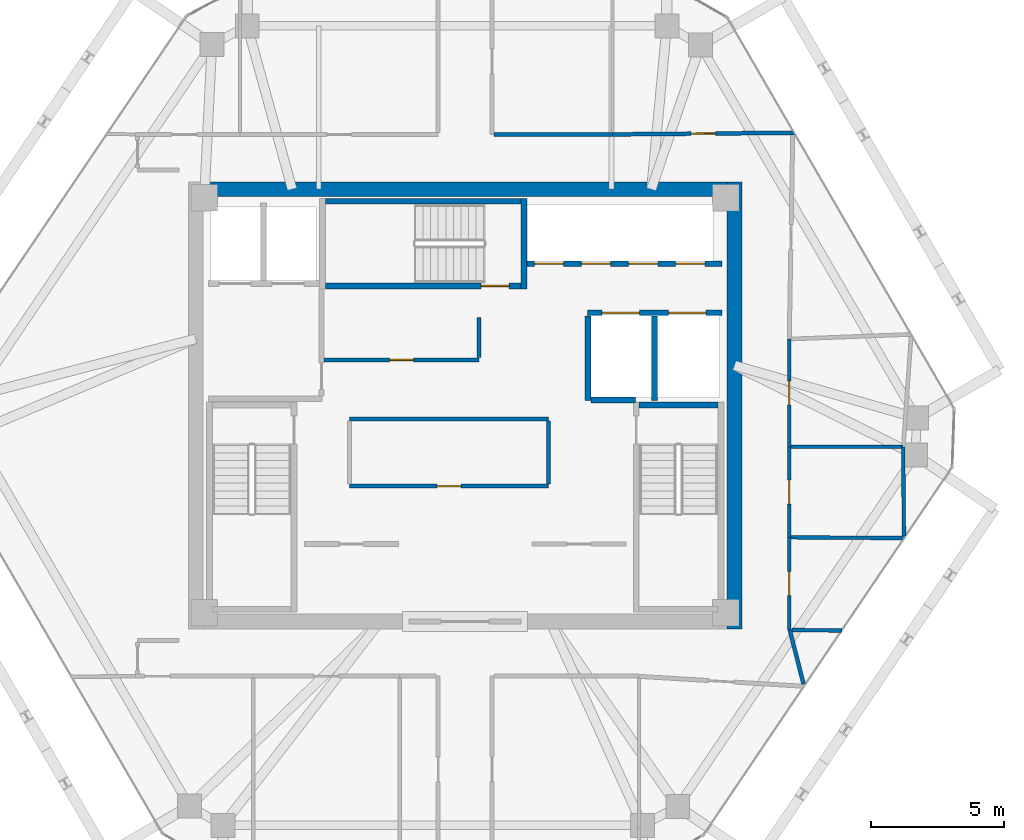
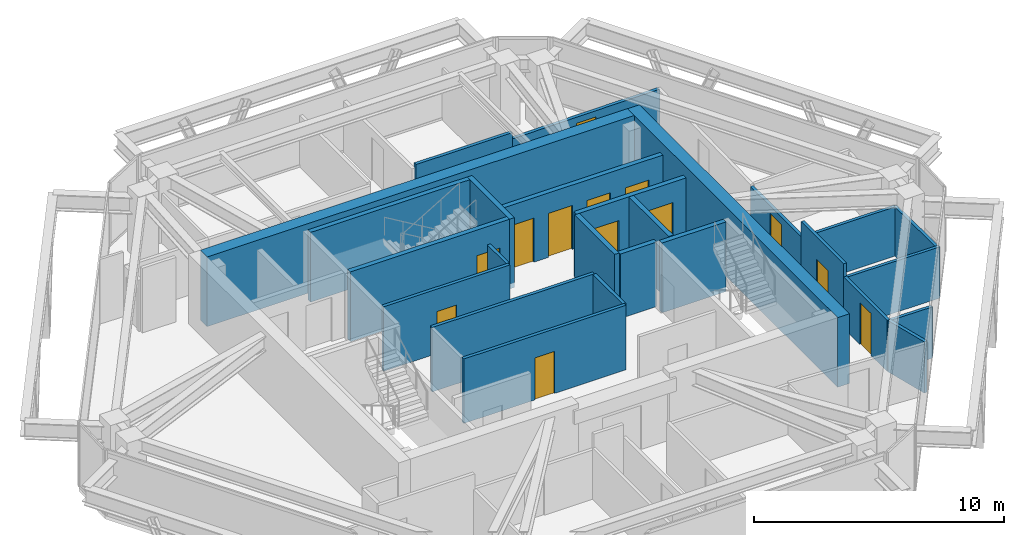
# One storey, part 9 of 11: 26 walls, 13 doors, 13 openings.
"""IFC4 building model written with IfcOpenShell, lengths in metres."""

from ifc_helpers import new_model, si_unit, direction, frame, frame_2d, origin, place, context, subcontext, project, spatial, rectangle, extrude, source, transform, mapped, material, layer, layer_set, type_object, type_shapes, element, fill, save


model = new_model("IFC4")

# Units and contexts
model_context = context("Model", 3, precision=1e-05, world=origin(), true_north=direction((0.0, 1.0)))
body_context = subcontext(model_context, "Body", "Model", "MODEL_VIEW")
ifc_project = project(units=[si_unit("LENGTHUNIT", "METRE"), si_unit("AREAUNIT", "SQUARE_METRE"), si_unit("VOLUMEUNIT", "CUBIC_METRE"), si_unit("PLANEANGLEUNIT", "RADIAN"), si_unit("MASSUNIT", "GRAM", prefix="KILO")], contexts=[model_context])

# Site, building, storey
site_placement = place(None, origin())
site = spatial("IfcSite", under=ifc_project, at=site_placement, CompositionType="ELEMENT")
building_placement = place(site_placement, origin())
building = spatial("IfcBuilding", under=site, at=building_placement, Name="Durnholm Broadcast Tower", CompositionType="ELEMENT")
storey_placement = place(building_placement, frame((0.0, 0.0, 251.300048828125)))
storey = spatial("IfcBuildingStorey", under=building, at=storey_placement, Name="L70", CompositionType="ELEMENT", Elevation=251.300048828125)

# Walls
ifc_material_1 = material(Name="Concrete C70/85", Category="concrete")
ifc_layer_1 = layer(ifc_material_1, 0.550048828125)
ifc_layer_set_1 = layer_set([ifc_layer_1], Name="Concrete C70/85")
wall_type_1 = type_object("IfcWallType", Name="WALL-CW-550", PredefinedType="SHEAR", material=ifc_layer_set_1)
wall_1_placement = place(storey_placement, frame((10.125, -8.39990234375, 0.0), z_axis=(0.0, 0.0, 1.0), x_axis=(0.0, 1.0, 0.0)))
element("IfcWall", 1, at=wall_1_placement, inside=storey, type_object=wall_type_1, Name="L70 central core shear wall CW-EAST", PredefinedType="SHEAR", context=body_context, shape_type="SweptSolid", body=[
    extrude(rectangle(XDim=16.7998046875, YDim=0.550048828125, at=frame_2d((8.39990234375, 0.0))), origin(), (0.0, 0.0, 1.0), 3.39990234375),
])
wall_2_placement = place(storey_placement, frame((-9.85009765625, 8.125, 0.0), z_axis=(0.0, 0.0, 1.0), x_axis=(1.0, 0.0, 0.0)))
element("IfcWall", 2, at=wall_2_placement, inside=storey, type_object=wall_type_1, Name="L70 central core shear wall CW-N", PredefinedType="SHEAR", context=body_context, shape_type="SweptSolid", body=[
    extrude(rectangle(XDim=19.7001953125, YDim=0.550048828125, at=frame_2d((9.85009765625, 0.0))), origin(), (0.0, 0.0, 1.0), 3.39990234375),
])

# Wall, opening, door
ifc_material_2 = material(Name="Acoustic Gypsum Stud Partition", Category="concrete")
ifc_layer_2 = layer(ifc_material_2, 0.14990234375)
ifc_layer_set_2 = layer_set([ifc_layer_2], Name="Acoustic Gypsum Stud Partition")
wall_type_2 = type_object("IfcWallType", Name="WALL-PART-150", PredefinedType="PARTITIONING", material=ifc_layer_set_2)
wall_3_placement = place(storey_placement, frame((3.139892578125, -3.0400390625, 0.0), z_axis=(0.0, 0.0, 1.0), x_axis=(-1.0, 0.0, 0.0)))
wall_3 = element("IfcWall", 3, at=wall_3_placement, inside=storey, type_object=wall_type_2, Name="L70 Broadcast Equipment Pantry corridor partition", PredefinedType="PARTITIONING", context=body_context, shape_type="SweptSolid", body=[
    extrude(rectangle(XDim=7.47998046875, YDim=0.14990234375, at=frame_2d((3.739990234375, 0.0))), origin(), (0.0, 0.0, 1.0), 3.14501953125),
])
opening_1_placement = place(wall_3_placement, frame((3.2900390625, 0.0, 0.0)))
opening_1 = element("IfcOpeningElement", 4, at=opening_1_placement, cuts=wall_3, Name="Opening DC-60R", PredefinedType="OPENING", context=body_context, shape_type="SweptSolid", body=[
    extrude(rectangle(XDim=0.89990234375, YDim=2.050048828125, at=frame_2d((0.449951171875, 1.02490234375))), frame((0.0, 0.0849609375, 0.0), z_axis=(0.0, -1.0, 0.0), x_axis=(1.0, 0.0, 0.0)), (0.0, 0.0, 1.0), 0.169921875),
])
ifc_material_3 = material(Name="Fire-Rated Core Service Door", Category="steel")
ifc_layer_3 = layer(ifc_material_3, 0.050048828125)
ifc_layer_set_3 = layer_set([ifc_layer_3], Name="Fire-Rated Core Service Door")
door_type_1 = type_object("IfcDoorType", Name="DOOR-CORE-FD60-R", OperationType="NOTDEFINED", PredefinedType="DOOR", material=ifc_layer_set_3)
shared_shape_1 = source(origin(), body_context, "Body", "SweptSolid", [
    extrude(rectangle(XDim=0.89990234375, YDim=2.050048828125, at=frame_2d((0.449951171875, 1.02490234375))), frame((0.0, 0.02490234375, 0.0), z_axis=(0.0, -1.0, 0.0), x_axis=(1.0, 0.0, 0.0)), (0.0, 0.0, 1.0), 0.050048828125),
])
type_shapes(door_type_1, [shared_shape_1])
door_1_placement = place(opening_1_placement, origin())
door_1 = element("IfcDoor", 5, at=door_1_placement, inside=storey, type_object=door_type_1, Name="L70 Broadcast Equipment Pantry entrance door", OperationType="SINGLE_SWING_RIGHT", OverallHeight=2.050048828125, OverallWidth=0.89990234375, PredefinedType="DOOR", context=body_context, shape_type="MappedRepresentation", body=[
    mapped(shared_shape_1, transform((0.0, 0.0, 0.0), x_axis=(1.0, 0.0, 0.0), y_axis=(0.0, 1.0, 0.0), z_axis=(0.0, 0.0, 1.0), scale=1.0)),
])
fill(opening_1, door_1)

# Walls
wall_4_placement = place(storey_placement, frame((-4.340087890625, -0.510009765625, 0.0), z_axis=(0.0, 0.0, 1.0), x_axis=(1.0, 0.0, 0.0)))
element("IfcWall", 6, at=wall_4_placement, inside=storey, type_object=wall_type_2, Name="L70 Broadcast Equipment Pantry corridor partition", PredefinedType="PARTITIONING", context=body_context, shape_type="SweptSolid", body=[
    extrude(rectangle(XDim=7.47998046875, YDim=0.14990234375, at=frame_2d((3.739990234375, 0.0))), origin(), (0.0, 0.0, 1.0), 3.14501953125),
])
wall_5_placement = place(storey_placement, frame((3.139892578125, -0.589111328125, 0.0), z_axis=(0.0, 0.0, 1.0), x_axis=(0.0, -1.0, 0.0)))
element("IfcWall", 7, at=wall_5_placement, inside=storey, type_object=wall_type_2, Name="L70 Broadcast Equipment Pantry corridor partition", PredefinedType="PARTITIONING", context=body_context, shape_type="SweptSolid", body=[
    extrude(rectangle(XDim=2.371826171875, YDim=0.14990234375, at=frame_2d((1.18603515625, 0.0))), origin(), (0.0, 0.0, 1.0), 3.14501953125),
])

# Wall, opening, door
wall_6_placement = place(storey_placement, frame((0.52001953125, 1.7099609375, 0.0), z_axis=(0.0, 0.0, 1.0), x_axis=(-1.0, 0.0, 0.0)))
wall_6 = element("IfcWall", 8, at=wall_6_placement, inside=storey, type_object=wall_type_2, Name="L70 Core Housekeeping Room corridor partition", PredefinedType="PARTITIONING", context=body_context, shape_type="SweptSolid", body=[
    extrude(rectangle(XDim=5.81591796875, YDim=0.14990234375, at=frame_2d((2.907958984375, 0.0))), origin(), (0.0, 0.0, 1.0), 3.14501953125),
])
opening_2_placement = place(wall_6_placement, frame((2.4580078125, 0.0, 0.0)))
opening_2 = element("IfcOpeningElement", 9, at=opening_2_placement, cuts=wall_6, Name="Opening DC-60L", PredefinedType="OPENING", context=body_context, shape_type="SweptSolid", body=[
    extrude(rectangle(XDim=0.89990234375, YDim=2.050048828125, at=frame_2d((0.449951171875, 1.02490234375))), frame((0.0, 0.0849609375, 0.0), z_axis=(0.0, -1.0, 0.0), x_axis=(1.0, 0.0, 0.0)), (0.0, 0.0, 1.0), 0.169921875),
])
ifc_layer_4 = layer(ifc_material_3, 0.050048828125)
ifc_layer_set_4 = layer_set([ifc_layer_4], Name="Fire-Rated Core Service Door")
door_type_2 = type_object("IfcDoorType", Name="DOOR-CORE-FD60-L", OperationType="NOTDEFINED", PredefinedType="DOOR", material=ifc_layer_set_4)
shared_shape_2 = source(origin(), body_context, "Body", "SweptSolid", [
    extrude(rectangle(XDim=0.89990234375, YDim=2.050048828125, at=frame_2d((0.449951171875, 1.02490234375))), frame((0.0, 0.02490234375, 0.0), z_axis=(0.0, -1.0, 0.0), x_axis=(1.0, 0.0, 0.0)), (0.0, 0.0, 1.0), 0.050048828125),
])
type_shapes(door_type_2, [shared_shape_2])
door_2_placement = place(opening_2_placement, origin())
door_2 = element("IfcDoor", 10, at=door_2_placement, inside=storey, type_object=door_type_2, Name="L70 Core Housekeeping Room entrance door", OperationType="SINGLE_SWING_LEFT", OverallHeight=2.050048828125, OverallWidth=0.89990234375, PredefinedType="DOOR", context=body_context, shape_type="MappedRepresentation", body=[
    mapped(shared_shape_2, transform((0.0, 0.0, 0.0), x_axis=(1.0, 0.0, 0.0), y_axis=(0.0, 1.0, 0.0), z_axis=(0.0, 0.0, 1.0), scale=1.0)),
])
fill(opening_2, door_2)

# Walls
wall_7_placement = place(storey_placement, frame((0.52001953125, 3.300048828125, 0.0), z_axis=(0.0, 0.0, 1.0), x_axis=(0.0, -1.0, 0.0)))
element("IfcWall", 11, at=wall_7_placement, inside=storey, type_object=wall_type_2, Name="L70 Core Housekeeping Room corridor partition", PredefinedType="PARTITIONING", context=body_context, shape_type="SweptSolid", body=[
    extrude(rectangle(XDim=1.510986328125, YDim=0.14990234375, at=frame_2d((0.75537109375, 0.0))), origin(), (0.0, 0.0, 1.0), 3.14501953125),
])
wall_8_placement = place(storey_placement, frame((5.5400390625, 10.179931640625, 0.0), z_axis=(0.0, 0.0, 1.0), x_axis=(-1.0, 0.0, 0.0)))
element("IfcWall", 12, at=wall_8_placement, inside=storey, type_object=wall_type_2, Name="L70 Fellows Meeting Room 3 corridor partition", PredefinedType="PARTITIONING", context=body_context, shape_type="SweptSolid", body=[
    extrude(rectangle(XDim=4.450927734375, YDim=0.14990234375, at=frame_2d((2.2255859375, 0.0))), origin(), (0.0, 0.0, 1.0), 2.708251953125),
])

# Wall, opening, door
wall_9_placement = place(storey_placement, frame((12.368408203125, 10.242919921875, 0.0), z_axis=(0.0, 0.0, 1.0), x_axis=(-0.999958440586, -0.009116858034, 0.0)))
wall_9 = element("IfcWall", 13, at=wall_9_placement, inside=storey, type_object=wall_type_2, Name="L70 Open Plan Broadcast Workspace 5 corridor partition", PredefinedType="PARTITIONING", context=body_context, shape_type="SweptSolid", body=[
    extrude(rectangle(XDim=6.82861328125, YDim=0.14990234375, at=frame_2d((3.414306640625, 0.0))), origin(), (0.0, 0.0, 1.0), 2.4013671875),
])
opening_3_placement = place(wall_9_placement, frame((2.954345703125, 0.0, 0.0)))
opening_3 = element("IfcOpeningElement", 14, at=opening_3_placement, cuts=wall_9, Name="Opening DR-92R", PredefinedType="OPENING", context=body_context, shape_type="SweptSolid", body=[
    extrude(rectangle(XDim=0.919921875, YDim=2.10009765625, at=frame_2d((0.4599609375, 1.050048828125))), frame((0.0, 0.0849609375, 0.0), z_axis=(0.0, -1.0, 0.0), x_axis=(1.0, 0.0, 0.0)), (0.0, 0.0, 1.0), 0.169921875),
])
ifc_material_4 = material(Name="Oak Veneer Office Door", Category="wood")
ifc_layer_5 = layer(ifc_material_4, 0.050048828125)
ifc_layer_set_5 = layer_set([ifc_layer_5], Name="Oak Veneer Office Door")
door_type_3 = type_object("IfcDoorType", Name="DOOR-RM-920R", OperationType="NOTDEFINED", PredefinedType="DOOR", material=ifc_layer_set_5)
shared_shape_3 = source(origin(), body_context, "Body", "SweptSolid", [
    extrude(rectangle(XDim=0.919921875, YDim=2.10009765625, at=frame_2d((0.4599609375, 1.050048828125))), frame((0.0, 0.02490234375, 0.0), z_axis=(0.0, -1.0, 0.0), x_axis=(1.0, 0.0, 0.0)), (0.0, 0.0, 1.0), 0.050048828125),
])
type_shapes(door_type_3, [shared_shape_3])
door_3_placement = place(opening_3_placement, origin())
door_3 = element("IfcDoor", 15, at=door_3_placement, inside=storey, type_object=door_type_3, Name="L70 Open Plan Broadcast Workspace 5 entrance door", OperationType="SINGLE_SWING_RIGHT", OverallHeight=2.10009765625, OverallWidth=0.919921875, PredefinedType="DOOR", context=body_context, shape_type="MappedRepresentation", body=[
    mapped(shared_shape_3, transform((0.0, 0.0, 0.0), x_axis=(1.0, 0.0, 0.0), y_axis=(0.0, 1.0, 0.0), z_axis=(0.0, 0.0, 1.0), scale=1.0)),
])
fill(opening_3, door_3)

# Wall
wall_10_placement = place(storey_placement, frame((12.718505859375, -10.477294921875, 0.0), z_axis=(0.0, 0.0, 1.0), x_axis=(-0.246550381988, 0.96912997536, 0.0)))
element("IfcWall", 16, at=wall_10_placement, inside=storey, type_object=wall_type_2, Name="L70 Fellows Meeting Room 2 corridor partition", PredefinedType="PARTITIONING", context=body_context, shape_type="SweptSolid", body=[
    extrude(rectangle(XDim=2.102294921875, YDim=0.14990234375, at=frame_2d((1.05126953125, 0.0))), origin(), (0.0, 0.0, 1.0), 2.498779296875),
])

# Wall, openings, doors
ifc_material_5 = material(Name="Concrete Blockwork C30/37", Category="masonry")
ifc_layer_6 = layer(ifc_material_5, 0.219970703125)
ifc_layer_set_6 = layer_set([ifc_layer_6], Name="Concrete Blockwork C30/37")
wall_type_3 = type_object("IfcWallType", Name="WALL-SHAFT-220", PredefinedType="SOLIDWALL", material=ifc_layer_set_6)
wall_11_placement = place(storey_placement, frame((4.60009765625, 3.47998046875, 0.0), z_axis=(0.0, 0.0, 1.0), x_axis=(1.0, 0.0, 0.0)))
wall_11 = element("IfcWall", 17, at=wall_11_placement, inside=storey, type_object=wall_type_3, Name="L70 freight service lifts north front wall", PredefinedType="SOLIDWALL", context=body_context, shape_type="SweptSolid", body=[
    extrude(rectangle(XDim=5.0498046875, YDim=0.219970703125, at=frame_2d((2.52490234375, 0.0))), origin(), (0.0, 0.0, 1.0), 3.14501953125),
])
opening_4_placement = place(wall_11_placement, frame((0.550048828125, 0.0, 0.0)))
opening_4 = element("IfcOpeningElement", 18, at=opening_4_placement, cuts=wall_11, Name="Opening LD-SVL-2", PredefinedType="OPENING", context=body_context, shape_type="SweptSolid", body=[
    extrude(rectangle(XDim=1.39990234375, YDim=2.14990234375, at=frame_2d((0.699951171875, 1.074951171875))), frame((0.0, 0.1201171875, 0.0), z_axis=(0.0, -1.0, 0.0), x_axis=(1.0, 0.0, 0.0)), (0.0, 0.0, 1.0), 0.239990234375),
])
opening_5_placement = place(wall_11_placement, frame((3.050048828125, 0.0, 0.0)))
opening_5 = element("IfcOpeningElement", 19, at=opening_5_placement, cuts=wall_11, Name="Opening LD-SVL-1", PredefinedType="OPENING", context=body_context, shape_type="SweptSolid", body=[
    extrude(rectangle(XDim=1.39990234375, YDim=2.14990234375, at=frame_2d((0.699951171875, 1.074951171875))), frame((0.0, 0.1201171875, 0.0), z_axis=(0.0, -1.0, 0.0), x_axis=(1.0, 0.0, 0.0)), (0.0, 0.0, 1.0), 0.239990234375),
])
ifc_material_6 = material(Name="Freight Elevator Bi-Parting Sliding Landing Door", Category="steel")
ifc_layer_7 = layer(ifc_material_6, 0.050048828125)
ifc_layer_set_7 = layer_set([ifc_layer_7], Name="Freight Elevator Bi-Parting Sliding Landing Door")
door_type_4 = type_object("IfcDoorType", Name="DOOR-LIFT-SVL", OperationType="DOUBLE_DOOR_SLIDING", PredefinedType="DOOR", material=ifc_layer_set_7)
shared_shape_4 = source(origin(), body_context, "Body", "SweptSolid", [
    extrude(rectangle(XDim=1.39990234375, YDim=2.14990234375, at=frame_2d((0.699951171875, 1.074951171875))), frame((0.0, 0.02490234375, 0.0), z_axis=(0.0, -1.0, 0.0), x_axis=(1.0, 0.0, 0.0)), (0.0, 0.0, 1.0), 0.050048828125),
])
type_shapes(door_type_4, [shared_shape_4])
door_4_placement = place(opening_4_placement, origin())
door_4 = element("IfcDoor", 20, at=door_4_placement, inside=storey, type_object=door_type_4, Name="L70 freight service elevator SVL-2 sliding landing door", OperationType="DOUBLE_DOOR_SLIDING", OverallHeight=2.14990234375, OverallWidth=1.39990234375, PredefinedType="DOOR", context=body_context, shape_type="MappedRepresentation", body=[
    mapped(shared_shape_4, transform((0.0, 0.0, 0.0), x_axis=(1.0, 0.0, 0.0), y_axis=(0.0, 1.0, 0.0), z_axis=(0.0, 0.0, 1.0), scale=1.0)),
])
fill(opening_4, door_4)
door_5_placement = place(opening_5_placement, origin())
door_5 = element("IfcDoor", 21, at=door_5_placement, inside=storey, type_object=door_type_4, Name="L70 freight service elevator SVL-1 sliding landing door", OperationType="DOUBLE_DOOR_SLIDING", OverallHeight=2.14990234375, OverallWidth=1.39990234375, PredefinedType="DOOR", context=body_context, shape_type="MappedRepresentation", body=[
    mapped(shared_shape_4, transform((0.0, 0.0, 0.0), x_axis=(1.0, 0.0, 0.0), y_axis=(0.0, 1.0, 0.0), z_axis=(0.0, 0.0, 1.0), scale=1.0)),
])
fill(opening_5, door_5)

# Walls
for number, where, z_axis, x_axis, name in (
    (22, (4.6201171875, 0.179931640625, 0.0), (0.0, 0.0, 1.0), (0.0, 1.0, 0.0), "L70 freight service lift SVL-2 west wall"),
    (23, (7.1201171875, 0.179931640625, 0.0), (0.0, 0.0, 1.0), (0.0, 1.0, 0.0), "L70 freight service lifts divider wall"),
):
    element("IfcWall", number, at=place(storey_placement, frame(where, z_axis=z_axis, x_axis=x_axis)), inside=storey, type_object=wall_type_3, Name=name, PredefinedType="SOLIDWALL", context=body_context, shape_type="SweptSolid", body=[
        extrude(rectangle(XDim=3.18603515625, YDim=0.219970703125, at=frame_2d((1.593017578125, 0.0))), origin(), (0.0, 0.0, 1.0), 3.14501953125),
    ])
wall_12_placement = place(storey_placement, frame((4.73388671875, 0.199951171875, 0.0), z_axis=(0.0, 0.0, 1.0), x_axis=(1.0, 0.0, 0.0)))
element("IfcWall", 24, at=wall_12_placement, inside=storey, type_object=wall_type_3, Name="L70 freight service lift SVL-2 south wall", PredefinedType="SOLIDWALL", context=body_context, shape_type="SweptSolid", body=[
    extrude(rectangle(XDim=1.666015625, YDim=0.219970703125, at=frame_2d((0.8330078125, 0.0))), origin(), (0.0, 0.0, 1.0), 3.14501953125),
])

# Wall, openings, doors
wall_13_placement = place(storey_placement, frame((2.324951171875, 5.320068359375, 0.0), z_axis=(0.0, 0.0, 1.0), x_axis=(1.0, 0.0, 0.0)))
wall_13 = element("IfcWall", 25, at=wall_13_placement, inside=storey, type_object=wall_type_3, Name="L70 high-rise bank P3 south front wall", PredefinedType="SOLIDWALL", context=body_context, shape_type="SweptSolid", body=[
    extrude(rectangle(XDim=7.324951171875, YDim=0.219970703125, at=frame_2d((3.66259765625, 0.0))), origin(), (0.0, 0.0, 1.0), 3.14501953125),
])
opening_6_placement = place(wall_13_placement, frame((0.27490234375, 0.0, 0.0)))
opening_6 = element("IfcOpeningElement", 26, at=opening_6_placement, cuts=wall_13, Name="Opening LD-LP3-1", PredefinedType="OPENING", context=body_context, shape_type="SweptSolid", body=[
    extrude(rectangle(XDim=1.10009765625, YDim=2.14990234375, at=frame_2d((0.550048828125, 1.074951171875))), frame((0.0, 0.1201171875, 0.0), z_axis=(0.0, -1.0, 0.0), x_axis=(1.0, 0.0, 0.0)), (0.0, 0.0, 1.0), 0.239990234375),
])
opening_7_placement = place(wall_13_placement, frame((2.044921875, 0.0, 0.0)))
opening_7 = element("IfcOpeningElement", 27, at=opening_7_placement, cuts=wall_13, Name="Opening LD-LP3-2", PredefinedType="OPENING", context=body_context, shape_type="SweptSolid", body=[
    extrude(rectangle(XDim=1.10009765625, YDim=2.14990234375, at=frame_2d((0.550048828125, 1.074951171875))), frame((0.0, 0.1201171875, 0.0), z_axis=(0.0, -1.0, 0.0), x_axis=(1.0, 0.0, 0.0)), (0.0, 0.0, 1.0), 0.239990234375),
])
opening_8_placement = place(wall_13_placement, frame((3.81494140625, 0.0, 0.0)))
opening_8 = element("IfcOpeningElement", 28, at=opening_8_placement, cuts=wall_13, Name="Opening LD-LP3-3", PredefinedType="OPENING", context=body_context, shape_type="SweptSolid", body=[
    extrude(rectangle(XDim=1.10009765625, YDim=2.14990234375, at=frame_2d((0.550048828125, 1.074951171875))), frame((0.0, 0.1201171875, 0.0), z_axis=(0.0, -1.0, 0.0), x_axis=(1.0, 0.0, 0.0)), (0.0, 0.0, 1.0), 0.239990234375),
])
opening_9_placement = place(wall_13_placement, frame((5.5849609375, 0.0, 0.0)))
opening_9 = element("IfcOpeningElement", 29, at=opening_9_placement, cuts=wall_13, Name="Opening LD-LP3-4", PredefinedType="OPENING", context=body_context, shape_type="SweptSolid", body=[
    extrude(rectangle(XDim=1.10009765625, YDim=2.14990234375, at=frame_2d((0.550048828125, 1.074951171875))), frame((0.0, 0.1201171875, 0.0), z_axis=(0.0, -1.0, 0.0), x_axis=(1.0, 0.0, 0.0)), (0.0, 0.0, 1.0), 0.239990234375),
])
ifc_material_7 = material(Name="Stainless Steel Sliding Elevator Landing Door", Category="steel")
ifc_layer_8 = layer(ifc_material_7, 0.050048828125)
ifc_layer_set_8 = layer_set([ifc_layer_8], Name="Stainless Steel Sliding Elevator Landing Door")
door_type_5 = type_object("IfcDoorType", Name="DOOR-LIFT-PAX", OperationType="DOUBLE_DOOR_SLIDING", PredefinedType="DOOR", material=ifc_layer_set_8)
shared_shape_5 = source(origin(), body_context, "Body", "SweptSolid", [
    extrude(rectangle(XDim=1.10009765625, YDim=2.14990234375, at=frame_2d((0.550048828125, 1.074951171875))), frame((0.0, 0.02490234375, 0.0), z_axis=(0.0, -1.0, 0.0), x_axis=(1.0, 0.0, 0.0)), (0.0, 0.0, 1.0), 0.050048828125),
])
type_shapes(door_type_5, [shared_shape_5])
door_6_placement = place(opening_6_placement, origin())
door_6 = element("IfcDoor", 30, at=door_6_placement, inside=storey, type_object=door_type_5, Name="L70 high-rise elevator LP3-1 sliding landing door", OperationType="DOUBLE_DOOR_SLIDING", OverallHeight=2.14990234375, OverallWidth=1.10009765625, PredefinedType="DOOR", context=body_context, shape_type="MappedRepresentation", body=[
    mapped(shared_shape_5, transform((0.0, 0.0, 0.0), x_axis=(1.0, 0.0, 0.0), y_axis=(0.0, 1.0, 0.0), z_axis=(0.0, 0.0, 1.0), scale=1.0)),
])
fill(opening_6, door_6)
door_7_placement = place(opening_7_placement, origin())
door_7 = element("IfcDoor", 31, at=door_7_placement, inside=storey, type_object=door_type_5, Name="L70 high-rise elevator LP3-2 sliding landing door", OperationType="DOUBLE_DOOR_SLIDING", OverallHeight=2.14990234375, OverallWidth=1.10009765625, PredefinedType="DOOR", context=body_context, shape_type="MappedRepresentation", body=[
    mapped(shared_shape_5, transform((0.0, 0.0, 0.0), x_axis=(1.0, 0.0, 0.0), y_axis=(0.0, 1.0, 0.0), z_axis=(0.0, 0.0, 1.0), scale=1.0)),
])
fill(opening_7, door_7)
door_8_placement = place(opening_8_placement, origin())
door_8 = element("IfcDoor", 32, at=door_8_placement, inside=storey, type_object=door_type_5, Name="L70 high-rise elevator LP3-3 sliding landing door", OperationType="DOUBLE_DOOR_SLIDING", OverallHeight=2.14990234375, OverallWidth=1.10009765625, PredefinedType="DOOR", context=body_context, shape_type="MappedRepresentation", body=[
    mapped(shared_shape_5, transform((0.0, 0.0, 0.0), x_axis=(1.0, 0.0, 0.0), y_axis=(0.0, 1.0, 0.0), z_axis=(0.0, 0.0, 1.0), scale=1.0)),
])
fill(opening_8, door_8)
door_9_placement = place(opening_9_placement, origin())
door_9 = element("IfcDoor", 33, at=door_9_placement, inside=storey, type_object=door_type_5, Name="L70 high-rise elevator LP3-4 sliding landing door", OperationType="DOUBLE_DOOR_SLIDING", OverallHeight=2.14990234375, OverallWidth=1.10009765625, PredefinedType="DOOR", context=body_context, shape_type="MappedRepresentation", body=[
    mapped(shared_shape_5, transform((0.0, 0.0, 0.0), x_axis=(1.0, 0.0, 0.0), y_axis=(0.0, 1.0, 0.0), z_axis=(0.0, 0.0, 1.0), scale=1.0)),
])
fill(opening_9, door_9)

# Walls
ifc_material_8 = material(Name="Concrete C50/60", Category="concrete")
ifc_layer_9 = layer(ifc_material_8, 0.219970703125)
ifc_layer_set_9 = layer_set([ifc_layer_9], Name="Concrete C50/60")
wall_type_4 = type_object("IfcWallType", Name="WALL-SW-220", PredefinedType="SHEAR", material=ifc_layer_set_9)
wall_14_placement = place(storey_placement, frame((9.5, 0.010009765625, -0.239990234375), z_axis=(0.0, 0.0, 1.0), x_axis=(-1.0, 0.0, 0.0)))
element("IfcWall", 34, at=wall_14_placement, inside=storey, type_object=wall_type_4, Name="L70 stair ST-2 structural shaft wall N", PredefinedType="SHEAR", context=body_context, shape_type="SweptSolid", body=[
    extrude(rectangle(XDim=2.9599609375, YDim=0.219970703125, at=frame_2d((1.47998046875, 0.0))), origin(), (0.0, 0.0, 1.0), 3.39990234375),
])
wall_15_placement = place(storey_placement, frame((2.2099609375, 4.3798828125, -0.239990234375), z_axis=(0.0, 0.0, 1.0), x_axis=(0.0, 1.0, 0.0)))
element("IfcWall", 35, at=wall_15_placement, inside=storey, type_object=wall_type_4, Name="L70 stair ST-3 structural shaft wall E", PredefinedType="SHEAR", context=body_context, shape_type="SweptSolid", body=[
    extrude(rectangle(XDim=3.400146484375, YDim=0.219970703125, at=frame_2d((1.7001953125, 0.0))), origin(), (0.0, 0.0, 1.0), 3.39990234375),
])

# Wall, opening, door
wall_16_placement = place(storey_placement, frame((-5.25, 4.489990234375, -0.239990234375), z_axis=(0.0, 0.0, 1.0), x_axis=(1.0, 0.0, 0.0)))
wall_16 = element("IfcWall", 36, at=wall_16_placement, inside=storey, type_object=wall_type_4, Name="L70 stair ST-3 structural shaft wall S", PredefinedType="SHEAR", context=body_context, shape_type="SweptSolid", body=[
    extrude(rectangle(XDim=7.35009765625, YDim=0.219970703125, at=frame_2d((3.675048828125, 0.0))), origin(), (0.0, 0.0, 1.0), 3.39990234375),
])
opening_10_placement = place(wall_16_placement, frame((5.85009765625, 0.0, 0.0)))
opening_10 = element("IfcOpeningElement", 37, at=opening_10_placement, cuts=wall_16, Name="Opening DS-90L", PredefinedType="OPENING", context=body_context, shape_type="SweptSolid", body=[
    extrude(rectangle(XDim=1.050048828125, YDim=2.14990234375, at=frame_2d((0.52490234375, 1.074951171875))), frame((0.0, 0.1201171875, 0.0), z_axis=(0.0, -1.0, 0.0), x_axis=(1.0, 0.0, 0.0)), (0.0, 0.0, 1.0), 0.239990234375),
])
ifc_material_9 = material(Name="Fire-Rated Steel Door", Category="steel")
ifc_layer_10 = layer(ifc_material_9, 0.050048828125)
ifc_layer_set_10 = layer_set([ifc_layer_10], Name="Fire-Rated Steel Door")
door_type_6 = type_object("IfcDoorType", Name="DOOR-ST-FD90-L", OperationType="NOTDEFINED", PredefinedType="DOOR", material=ifc_layer_set_10)
shared_shape_6 = source(origin(), body_context, "Body", "SweptSolid", [
    extrude(rectangle(XDim=1.050048828125, YDim=2.14990234375, at=frame_2d((0.52490234375, 1.074951171875))), frame((0.0, 0.02490234375, 0.0), z_axis=(0.0, -1.0, 0.0), x_axis=(1.0, 0.0, 0.0)), (0.0, 0.0, 1.0), 0.050048828125),
])
type_shapes(door_type_6, [shared_shape_6])
door_10_placement = place(opening_10_placement, origin())
door_10 = element("IfcDoor", 38, at=door_10_placement, inside=storey, type_object=door_type_6, Name="L70 exit stair ST-3 fire door", OperationType="SINGLE_SWING_LEFT", OverallHeight=2.14990234375, OverallWidth=1.050048828125, PredefinedType="DOOR", context=body_context, shape_type="MappedRepresentation", body=[
    mapped(shared_shape_6, transform((0.0, 0.0, 0.0), x_axis=(1.0, 0.0, 0.0), y_axis=(0.0, 1.0, 0.0), z_axis=(0.0, 0.0, 1.0), scale=1.0)),
])
fill(opening_10, door_10)

# Wall
wall_17_placement = place(storey_placement, frame((2.10009765625, 7.669921875, -0.239990234375), z_axis=(0.0, 0.0, 1.0), x_axis=(-1.0, 0.0, 0.0)))
element("IfcWall", 39, at=wall_17_placement, inside=storey, type_object=wall_type_4, Name="L70 stair ST-3 structural shaft wall N", PredefinedType="SHEAR", context=body_context, shape_type="SweptSolid", body=[
    extrude(rectangle(XDim=7.35009765625, YDim=0.219970703125, at=frame_2d((3.675048828125, 0.0))), origin(), (0.0, 0.0, 1.0), 3.39990234375),
])

# Wall, opening, door
ifc_material_10 = material(Name="Moisture-Resistant Tile Partition", Category="concrete")
ifc_layer_11 = layer(ifc_material_10, 0.139892578125)
ifc_layer_set_11 = layer_set([ifc_layer_11], Name="Moisture-Resistant Tile Partition")
wall_type_5 = type_object("IfcWallType", Name="WALL-WC-140", PredefinedType="PARTITIONING", material=ifc_layer_set_11)
wall_18_placement = place(storey_placement, frame((12.179931640625, -8.43994140625, 0.0), z_axis=(0.0, 0.0, 1.0), x_axis=(0.0, 1.0, 0.0)))
wall_18 = element("IfcWall", 40, at=wall_18_placement, inside=storey, type_object=wall_type_5, Name="L70 Men's Restroom corridor partition", PredefinedType="PARTITIONING", context=body_context, shape_type="SweptSolid", body=[
    extrude(rectangle(XDim=3.47998046875, YDim=0.139892578125, at=frame_2d((1.739990234375, 0.0))), origin(), (0.0, 0.0, 1.0), 2.498779296875),
])
opening_11_placement = place(wall_18_placement, frame((1.2900390625, 0.0, 0.0)))
opening_11 = element("IfcOpeningElement", 41, at=opening_11_placement, cuts=wall_18, Name="Opening DW-90R", PredefinedType="OPENING", context=body_context, shape_type="SweptSolid", body=[
    extrude(rectangle(XDim=0.89990234375, YDim=2.050048828125, at=frame_2d((0.449951171875, 1.02490234375))), frame((0.0, 0.080078125, 0.0), z_axis=(0.0, -1.0, 0.0), x_axis=(1.0, 0.0, 0.0)), (0.0, 0.0, 1.0), 0.159912109375),
])
ifc_material_11 = material(Name="Laminate Restroom Door", Category="steel")
ifc_layer_12 = layer(ifc_material_11, 0.050048828125)
ifc_layer_set_12 = layer_set([ifc_layer_12], Name="Laminate Restroom Door")
door_type_7 = type_object("IfcDoorType", Name="DOOR-WC-900R", OperationType="NOTDEFINED", PredefinedType="DOOR", material=ifc_layer_set_12)
shared_shape_7 = source(origin(), body_context, "Body", "SweptSolid", [
    extrude(rectangle(XDim=0.89990234375, YDim=2.050048828125, at=frame_2d((0.449951171875, 1.02490234375))), frame((0.0, 0.02490234375, 0.0), z_axis=(0.0, -1.0, 0.0), x_axis=(1.0, 0.0, 0.0)), (0.0, 0.0, 1.0), 0.050048828125),
])
type_shapes(door_type_7, [shared_shape_7])
door_11_placement = place(opening_11_placement, origin())
door_11 = element("IfcDoor", 42, at=door_11_placement, inside=storey, type_object=door_type_7, Name="L70 Men's Restroom entrance door", OperationType="SINGLE_SWING_RIGHT", OverallHeight=2.050048828125, OverallWidth=0.89990234375, PredefinedType="DOOR", context=body_context, shape_type="MappedRepresentation", body=[
    mapped(shared_shape_7, transform((0.0, 0.0, 0.0), x_axis=(1.0, 0.0, 0.0), y_axis=(0.0, 1.0, 0.0), z_axis=(0.0, 0.0, 1.0), scale=1.0)),
])
fill(opening_11, door_11)

wall_19_placement = place(storey_placement, frame((12.179931640625, -4.9599609375, 0.0), z_axis=(0.0, 0.0, 1.0), x_axis=(0.0, 1.0, 0.0)))
wall_19 = element("IfcWall", 43, at=wall_19_placement, inside=storey, type_object=wall_type_5, Name="L70 Women's Restroom corridor partition", PredefinedType="PARTITIONING", context=body_context, shape_type="SweptSolid", body=[
    extrude(rectangle(XDim=3.39990234375, YDim=0.139892578125, at=frame_2d((1.699951171875, 0.0))), origin(), (0.0, 0.0, 1.0), 3.14501953125),
])
opening_12_placement = place(wall_19_placement, frame((1.25, 0.0, 0.0)))
opening_12 = element("IfcOpeningElement", 44, at=opening_12_placement, cuts=wall_19, Name="Opening DW-90L", PredefinedType="OPENING", context=body_context, shape_type="SweptSolid", body=[
    extrude(rectangle(XDim=0.89990234375, YDim=2.050048828125, at=frame_2d((0.449951171875, 1.02490234375))), frame((0.0, 0.080078125, 0.0), z_axis=(0.0, -1.0, 0.0), x_axis=(1.0, 0.0, 0.0)), (0.0, 0.0, 1.0), 0.159912109375),
])
ifc_layer_13 = layer(ifc_material_11, 0.050048828125)
ifc_layer_set_13 = layer_set([ifc_layer_13], Name="Laminate Restroom Door")
door_type_8 = type_object("IfcDoorType", Name="DOOR-WC-900L", OperationType="NOTDEFINED", PredefinedType="DOOR", material=ifc_layer_set_13)
shared_shape_8 = source(origin(), body_context, "Body", "SweptSolid", [
    extrude(rectangle(XDim=0.89990234375, YDim=2.050048828125, at=frame_2d((0.449951171875, 1.02490234375))), frame((0.0, 0.02490234375, 0.0), z_axis=(0.0, -1.0, 0.0), x_axis=(1.0, 0.0, 0.0)), (0.0, 0.0, 1.0), 0.050048828125),
])
type_shapes(door_type_8, [shared_shape_8])
door_12_placement = place(opening_12_placement, origin())
door_12 = element("IfcDoor", 45, at=door_12_placement, inside=storey, type_object=door_type_8, Name="L70 Women's Restroom entrance door", OperationType="SINGLE_SWING_LEFT", OverallHeight=2.050048828125, OverallWidth=0.89990234375, PredefinedType="DOOR", context=body_context, shape_type="MappedRepresentation", body=[
    mapped(shared_shape_8, transform((0.0, 0.0, 0.0), x_axis=(1.0, 0.0, 0.0), y_axis=(0.0, 1.0, 0.0), z_axis=(0.0, 0.0, 1.0), scale=1.0)),
])
fill(opening_12, door_12)

wall_20_placement = place(storey_placement, frame((12.179931640625, -1.56005859375, 0.0), z_axis=(0.0, 0.0, 1.0), x_axis=(0.0, 1.0, 0.0)))
wall_20 = element("IfcWall", 46, at=wall_20_placement, inside=storey, type_object=wall_type_5, Name="L70 Accessible Restroom corridor partition", PredefinedType="PARTITIONING", context=body_context, shape_type="SweptSolid", body=[
    extrude(rectangle(XDim=4.050048828125, YDim=0.139892578125, at=frame_2d((2.02490234375, 0.0))), origin(), (0.0, 0.0, 1.0), 2.4013671875),
])
opening_13_placement = place(wall_20_placement, frame((1.574951171875, 0.0, 0.0)))
opening_13 = element("IfcOpeningElement", 47, at=opening_13_placement, cuts=wall_20, Name="Opening DW-90R", PredefinedType="OPENING", context=body_context, shape_type="SweptSolid", body=[
    extrude(rectangle(XDim=0.89990234375, YDim=2.050048828125, at=frame_2d((0.449951171875, 1.02490234375))), frame((0.0, 0.080078125, 0.0), z_axis=(0.0, -1.0, 0.0), x_axis=(1.0, 0.0, 0.0)), (0.0, 0.0, 1.0), 0.159912109375),
])
door_13_placement = place(opening_13_placement, origin())
door_13 = element("IfcDoor", 48, at=door_13_placement, inside=storey, type_object=door_type_7, Name="L70 Accessible Restroom entrance door", OperationType="SINGLE_SWING_RIGHT", OverallHeight=2.050048828125, OverallWidth=0.89990234375, PredefinedType="DOOR", context=body_context, shape_type="MappedRepresentation", body=[
    mapped(shared_shape_7, transform((0.0, 0.0, 0.0), x_axis=(1.0, 0.0, 0.0), y_axis=(0.0, 1.0, 0.0), z_axis=(0.0, 0.0, 1.0), scale=1.0)),
])
fill(opening_13, door_13)

# Walls
wall_21_placement = place(storey_placement, frame((12.25390625, -4.96044921875, 0.0), z_axis=(0.0, 0.0, 1.0), x_axis=(0.999976630429, -0.006836563198, 0.0)))
element("IfcWall", 49, at=wall_21_placement, inside=storey, type_object=wall_type_5, Name="L70 room dividing partition 5.6", PredefinedType="PARTITIONING", context=body_context, shape_type="SweptSolid", body=[
    extrude(rectangle(XDim=4.24951171875, YDim=0.139892578125, at=frame_2d((2.124755859375, 0.0))), origin(), (0.0, 0.0, 1.0), 2.498779296875),
])
wall_22_placement = place(storey_placement, frame((14.155517578125, -8.46240234375, 0.0), z_axis=(0.0, 0.0, 1.0), x_axis=(-0.999935742613, 0.011336253532, 0.0)))
element("IfcWall", 50, at=wall_22_placement, inside=storey, type_object=wall_type_5, Name="L70 room dividing partition 5.16", PredefinedType="PARTITIONING", context=body_context, shape_type="SweptSolid", body=[
    extrude(rectangle(XDim=1.87353515625, YDim=0.139892578125, at=frame_2d((0.936767578125, 0.0))), origin(), (0.0, 0.0, 1.0), 2.498779296875),
])
wall_23_placement = place(storey_placement, frame((12.25390625, -1.56005859375, 0.0), z_axis=(0.0, 0.0, 1.0), x_axis=(1.0, 0.0, 0.0)))
element("IfcWall", 51, at=wall_23_placement, inside=storey, type_object=wall_type_5, Name="L70 room dividing partition 6.7", PredefinedType="PARTITIONING", context=body_context, shape_type="SweptSolid", body=[
    extrude(rectangle(XDim=4.2060546875, YDim=0.139892578125, at=frame_2d((2.10302734375, 0.0))), origin(), (0.0, 0.0, 1.0), 2.4013671875),
])
wall_24_placement = place(storey_placement, frame((16.4599609375, -1.56005859375, 0.0), z_axis=(0.0, 0.0, 1.0), x_axis=(0.009604446748, -0.999953876238, 0.0)))
element("IfcWall", 52, at=wall_24_placement, inside=storey, type_object=wall_type_5, Name="L70 room dividing partition 6.19", PredefinedType="PARTITIONING", context=body_context, shape_type="SweptSolid", body=[
    extrude(rectangle(XDim=3.35546875, YDim=0.139892578125, at=frame_2d((1.677734375, 0.0))), origin(), (0.0, 0.0, 1.0), 2.4013671875),
])

save(model, "model.ifc")
